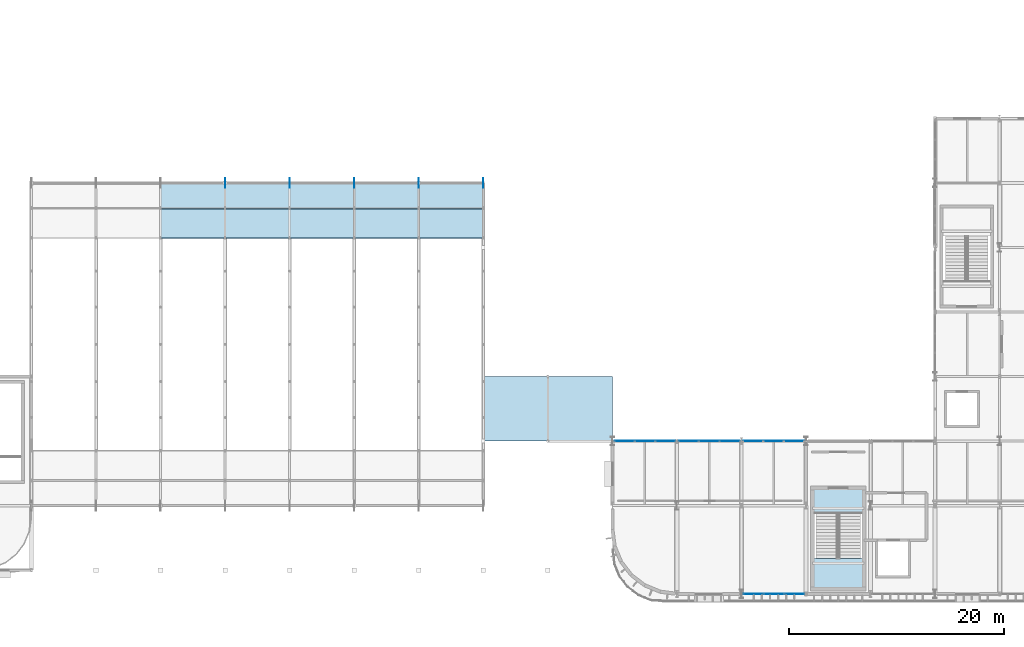
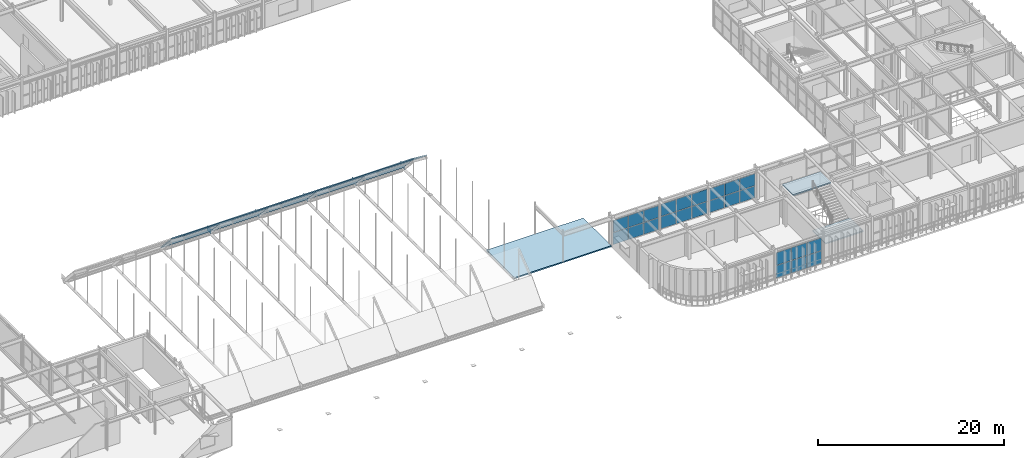
# One storey, part 79 of 116: 29 plates, 13 slabs, 5 elements without a shape of their own.
"""IFC4 building model written with IfcOpenShell, lengths in metres."""

from ifc_helpers import new_model, si_unit, direction, frame, origin, origin_2d, place, context, subcontext, project, spatial, polyline, rectangle, outline, extrude, material, layer, layer_set, type_object, element, aggregate, save


model = new_model("IFC4")

# Units and contexts
model_context = context("Model", 3, precision=1e-05, world=origin(), true_north=direction((0.0, 1.0)))
body_context = subcontext(model_context, "Body", "Model", "MODEL_VIEW")
ifc_project = project(units=[si_unit("LENGTHUNIT", "METRE"), si_unit("AREAUNIT", "SQUARE_METRE"), si_unit("VOLUMEUNIT", "CUBIC_METRE"), si_unit("PLANEANGLEUNIT", "RADIAN"), si_unit("MASSUNIT", "GRAM", prefix="KILO")], contexts=[model_context])

# Site, building, storey
site_placement = place(None, origin())
site = spatial("IfcSite", under=ifc_project, at=site_placement, CompositionType="ELEMENT")
building_placement = place(site_placement, origin())
building = spatial("IfcBuilding", under=site, at=building_placement, Name="Varnakota Square Police Headquarters", CompositionType="ELEMENT")
storey_placement = place(building_placement, frame((0.0, 0.0, 9.300048828125)))
storey = spatial("IfcBuildingStorey", under=building, at=storey_placement, Name="L02", CompositionType="ELEMENT", Elevation=9.300048828125)

# Curtain wall, plates
ifc_material_1 = material(Name="Anodised Aluminium Framing", Category="aluminium")
curtain_wall_type_1 = type_object("IfcCurtainWallType", Name="CW-SYS-D", PredefinedType="NOTDEFINED", material=ifc_material_1)
curtain_wall_1_placement = place(storey_placement, origin())
curtain_wall_1 = element("IfcCurtainWall", 1, at=curtain_wall_1_placement, inside=storey, type_object=curtain_wall_type_1, Name="Unitised curtain wall CWG-L02-071", PredefinedType="NOTDEFINED")
ifc_material_2 = material(Name="Solar-Control Laminated Double Glazing", Category="glass")
ifc_layer_1 = layer(ifc_material_2, 0.028076171875, Name="Solar-Control Laminated Double Glazing")
ifc_layer_set_1 = layer_set([ifc_layer_1], Name="Solar-Control Laminated Double Glazing")
plate_type_1 = type_object("IfcPlateType", Name="CWP-GLZ-28", PredefinedType="CURTAIN_PANEL", material=ifc_layer_set_1)
plate_1_placement = place(storey_placement, frame((121.080322265625, 15.0, 0.06494140625), z_axis=(0.0, 0.0, 1.0), x_axis=(1.0, 0.0, 0.0)))
plate_1 = element("IfcPlate", 2, at=plate_1_placement, type_object=plate_type_1, Name="CWG-L02-071 panel 1.1", PredefinedType="CURTAIN_PANEL", context=body_context, shape_type="SweptSolid", body=[
    extrude(rectangle(XDim=1.810791015625, YDim=0.028076171875, at=origin_2d()), origin(), (0.0, 0.0, 1.0), 1.547607421875),
])
plate_2_placement = place(storey_placement, frame((122.972412109375, 15.0, 0.06494140625), z_axis=(0.0, 0.0, 1.0), x_axis=(1.0, 0.0, 0.0)))
plate_2 = element("IfcPlate", 3, at=plate_2_placement, type_object=plate_type_1, Name="CWG-L02-071 panel 2.1", PredefinedType="CURTAIN_PANEL", context=body_context, shape_type="SweptSolid", body=[
    extrude(rectangle(XDim=1.84326171875, YDim=0.028076171875, at=origin_2d()), origin(), (0.0, 0.0, 1.0), 1.547607421875),
])
plate_3_placement = place(storey_placement, frame((124.864501953125, 15.0, 0.06494140625), z_axis=(0.0, 0.0, 1.0), x_axis=(1.0, 0.0, 0.0)))
plate_3 = element("IfcPlate", 4, at=plate_3_placement, type_object=plate_type_1, Name="CWG-L02-071 panel 3.1", PredefinedType="CURTAIN_PANEL", context=body_context, shape_type="SweptSolid", body=[
    extrude(rectangle(XDim=1.810791015625, YDim=0.028076171875, at=origin_2d()), origin(), (0.0, 0.0, 1.0), 1.547607421875),
])

curtain_wall_2_placement = place(storey_placement, origin())
curtain_wall_2 = element("IfcCurtainWall", 5, at=curtain_wall_2_placement, inside=storey, type_object=curtain_wall_type_1, Name="Unitised curtain wall CWG-L02-069", PredefinedType="NOTDEFINED")
ifc_material_3 = material(Name="Blast-Resistant Laminated Glazing", Category="glass")
ifc_layer_2 = layer(ifc_material_3, 0.035888671875, Name="Blast-Resistant Laminated Glazing")
ifc_layer_set_2 = layer_set([ifc_layer_2], Name="Blast-Resistant Laminated Glazing")
plate_type_2 = type_object("IfcPlateType", Name="CWP-GLZ-36", PredefinedType="CURTAIN_PANEL", material=ifc_layer_set_2)
plate_4_placement = place(storey_placement, frame((109.13623046875, 15.0, 0.06494140625), z_axis=(0.0, 0.0, 1.0), x_axis=(1.0, 0.0, 0.0)))
plate_4 = element("IfcPlate", 6, at=plate_4_placement, type_object=plate_type_2, Name="CWG-L02-069 panel 1.1", PredefinedType="CURTAIN_PANEL", context=body_context, shape_type="SweptSolid", body=[
    extrude(rectangle(XDim=1.8125, YDim=0.035888671875, at=origin_2d()), origin(), (0.0, 0.0, 1.0), 1.547607421875),
])
plate_5_placement = place(storey_placement, frame((111.030029296875, 15.0, 0.06494140625), z_axis=(0.0, 0.0, 1.0), x_axis=(1.0, 0.0, 0.0)))
plate_5 = element("IfcPlate", 7, at=plate_5_placement, type_object=plate_type_2, Name="CWG-L02-069 panel 2.1", PredefinedType="CURTAIN_PANEL", context=body_context, shape_type="SweptSolid", body=[
    extrude(rectangle(XDim=1.844970703125, YDim=0.035888671875, at=origin_2d()), origin(), (0.0, 0.0, 1.0), 1.547607421875),
])
plate_6_placement = place(storey_placement, frame((112.923828125, 15.0, 0.06494140625), z_axis=(0.0, 0.0, 1.0), x_axis=(1.0, 0.0, 0.0)))
plate_6 = element("IfcPlate", 8, at=plate_6_placement, type_object=plate_type_2, Name="CWG-L02-069 panel 3.1", PredefinedType="CURTAIN_PANEL", context=body_context, shape_type="SweptSolid", body=[
    extrude(rectangle(XDim=1.8125, YDim=0.035888671875, at=origin_2d()), origin(), (0.0, 0.0, 1.0), 1.547607421875),
])

curtain_wall_type_2 = type_object("IfcCurtainWallType", Name="CW-SYS-B", PredefinedType="NOTDEFINED", material=ifc_material_1)
curtain_wall_3_placement = place(storey_placement, origin())
curtain_wall_3 = element("IfcCurtainWall", 9, at=curtain_wall_3_placement, inside=storey, type_object=curtain_wall_type_2, Name="Unitised curtain wall CWG-L02-066", PredefinedType="NOTDEFINED")
ifc_material_4 = material(Name="Triple-Glazed Clean-Lab Vision Unit", Category="aluminium")
ifc_layer_3 = layer(ifc_material_4, 0.0419921875, Name="Triple-Glazed Clean-Lab Vision Unit")
ifc_layer_set_3 = layer_set([ifc_layer_3], Name="Triple-Glazed Clean-Lab Vision Unit")
plate_type_3 = type_object("IfcPlateType", Name="CWP-GLZ-42", PredefinedType="CURTAIN_PANEL", material=ifc_layer_set_3)
plate_7_placement = place(storey_placement, frame((121.13623046875, 0.800048828125, 0.06494140625), z_axis=(0.0, 0.0, 1.0), x_axis=(1.0, 0.0, 0.0)))
plate_7 = element("IfcPlate", 10, at=plate_7_placement, type_object=plate_type_3, Name="CWG-L02-066 panel 1.1", PredefinedType="CURTAIN_PANEL", context=body_context, shape_type="SweptSolid", body=[
    extrude(rectangle(XDim=1.8125, YDim=0.0419921875, at=origin_2d()), origin(), (0.0, 0.0, 1.0), 1.644287109375),
])
plate_8_placement = place(storey_placement, frame((123.030029296875, 0.800048828125, 0.06494140625), z_axis=(0.0, 0.0, 1.0), x_axis=(1.0, 0.0, 0.0)))
plate_8 = element("IfcPlate", 11, at=plate_8_placement, type_object=plate_type_3, Name="CWG-L02-066 panel 2.1", PredefinedType="CURTAIN_PANEL", context=body_context, shape_type="SweptSolid", body=[
    extrude(rectangle(XDim=1.844970703125, YDim=0.0419921875, at=origin_2d()), origin(), (0.0, 0.0, 1.0), 1.644287109375),
])
plate_9_placement = place(storey_placement, frame((124.923828125, 0.800048828125, 0.06494140625), z_axis=(0.0, 0.0, 1.0), x_axis=(1.0, 0.0, 0.0)))
plate_9 = element("IfcPlate", 12, at=plate_9_placement, type_object=plate_type_3, Name="CWG-L02-066 panel 3.1", PredefinedType="CURTAIN_PANEL", context=body_context, shape_type="SweptSolid", body=[
    extrude(rectangle(XDim=1.8125, YDim=0.0419921875, at=origin_2d()), origin(), (0.0, 0.0, 1.0), 1.644287109375),
])

curtain_wall_4_placement = place(storey_placement, origin())
curtain_wall_4 = element("IfcCurtainWall", 13, at=curtain_wall_4_placement, inside=storey, type_object=curtain_wall_type_1, Name="Unitised curtain wall CWG-L02-070", PredefinedType="NOTDEFINED")
plate_10_placement = place(storey_placement, frame((115.08544921875, 15.0, 0.06494140625), z_axis=(0.0, 0.0, 1.0), x_axis=(1.0, 0.0, 0.0)))
plate_10 = element("IfcPlate", 14, at=plate_10_placement, type_object=plate_type_3, Name="CWG-L02-070 panel 1.1", PredefinedType="CURTAIN_PANEL", context=body_context, shape_type="SweptSolid", body=[
    extrude(rectangle(XDim=1.830810546875, YDim=0.0419921875, at=origin_2d()), origin(), (0.0, 0.0, 1.0), 1.572509765625),
])
plate_11_placement = place(storey_placement, frame((116.99755859375, 15.0, 0.06494140625), z_axis=(0.0, 0.0, 1.0), x_axis=(1.0, 0.0, 0.0)))
plate_11 = element("IfcPlate", 15, at=plate_11_placement, type_object=plate_type_3, Name="CWG-L02-070 panel 2.1", PredefinedType="CURTAIN_PANEL", context=body_context, shape_type="SweptSolid", body=[
    extrude(rectangle(XDim=1.86328125, YDim=0.0419921875, at=origin_2d()), origin(), (0.0, 0.0, 1.0), 1.572509765625),
])
plate_12_placement = place(storey_placement, frame((118.90966796875, 15.0, 0.06494140625), z_axis=(0.0, 0.0, 1.0), x_axis=(1.0, 0.0, 0.0)))
plate_12 = element("IfcPlate", 16, at=plate_12_placement, type_object=plate_type_3, Name="CWG-L02-070 panel 3.1", PredefinedType="CURTAIN_PANEL", context=body_context, shape_type="SweptSolid", body=[
    extrude(rectangle(XDim=1.830810546875, YDim=0.0419921875, at=origin_2d()), origin(), (0.0, 0.0, 1.0), 1.572509765625),
])

# Plate
ifc_material_5 = material(Name="Insulated Anodised Aluminium Spandrel Panel", Category="aluminium")
ifc_layer_4 = layer(ifc_material_5, 0.050048828125, Name="Insulated Anodised Aluminium Spandrel Panel")
ifc_layer_set_4 = layer_set([ifc_layer_4], Name="Insulated Anodised Aluminium Spandrel Panel")
plate_type_4 = type_object("IfcPlateType", Name="CWP-SPN-50", PredefinedType="CURTAIN_PANEL", material=ifc_layer_set_4)
plate_13_placement = place(storey_placement, frame((109.13623046875, 15.0, 1.67724609375), z_axis=(0.0, 0.0, 1.0), x_axis=(1.0, 0.0, 0.0)))
plate_13 = element("IfcPlate", 17, at=plate_13_placement, type_object=plate_type_4, Name="CWG-L02-069 panel 1.2", PredefinedType="CURTAIN_PANEL", context=body_context, shape_type="SweptSolid", body=[
    extrude(rectangle(XDim=1.8125, YDim=0.050048828125, at=origin_2d()), origin(), (0.0, 0.0, 1.0), 1.547607421875),
])

plate_14_placement = place(storey_placement, frame((111.030029296875, 15.0, 1.67724609375), z_axis=(0.0, 0.0, 1.0), x_axis=(1.0, 0.0, 0.0)))
plate_14 = element("IfcPlate", 18, at=plate_14_placement, type_object=plate_type_4, Name="CWG-L02-069 panel 2.2", PredefinedType="CURTAIN_PANEL", context=body_context, shape_type="SweptSolid", body=[
    extrude(rectangle(XDim=1.844970703125, YDim=0.050048828125, at=origin_2d()), origin(), (0.0, 0.0, 1.0), 1.547607421875),
])

plate_15_placement = place(storey_placement, frame((112.923828125, 15.0, 1.67724609375), z_axis=(0.0, 0.0, 1.0), x_axis=(1.0, 0.0, 0.0)))
plate_15 = element("IfcPlate", 19, at=plate_15_placement, type_object=plate_type_4, Name="CWG-L02-069 panel 3.2", PredefinedType="CURTAIN_PANEL", context=body_context, shape_type="SweptSolid", body=[
    extrude(rectangle(XDim=1.8125, YDim=0.050048828125, at=origin_2d()), origin(), (0.0, 0.0, 1.0), 1.547607421875),
])

aggregate(curtain_wall_2, [plate_4, plate_13, plate_5, plate_14, plate_6, plate_15])

plate_16_placement = place(storey_placement, frame((121.080322265625, 15.0, 1.67724609375), z_axis=(0.0, 0.0, 1.0), x_axis=(1.0, 0.0, 0.0)))
plate_16 = element("IfcPlate", 20, at=plate_16_placement, type_object=plate_type_4, Name="CWG-L02-071 panel 1.2", PredefinedType="CURTAIN_PANEL", context=body_context, shape_type="SweptSolid", body=[
    extrude(rectangle(XDim=1.810791015625, YDim=0.050048828125, at=origin_2d()), origin(), (0.0, 0.0, 1.0), 1.547607421875),
])

plate_17_placement = place(storey_placement, frame((122.972412109375, 15.0, 1.67724609375), z_axis=(0.0, 0.0, 1.0), x_axis=(1.0, 0.0, 0.0)))
plate_17 = element("IfcPlate", 21, at=plate_17_placement, type_object=plate_type_4, Name="CWG-L02-071 panel 2.2", PredefinedType="CURTAIN_PANEL", context=body_context, shape_type="SweptSolid", body=[
    extrude(rectangle(XDim=1.84326171875, YDim=0.050048828125, at=origin_2d()), origin(), (0.0, 0.0, 1.0), 1.547607421875),
])

plate_18_placement = place(storey_placement, frame((124.864501953125, 15.0, 1.67724609375), z_axis=(0.0, 0.0, 1.0), x_axis=(1.0, 0.0, 0.0)))
plate_18 = element("IfcPlate", 22, at=plate_18_placement, type_object=plate_type_4, Name="CWG-L02-071 panel 3.2", PredefinedType="CURTAIN_PANEL", context=body_context, shape_type="SweptSolid", body=[
    extrude(rectangle(XDim=1.810791015625, YDim=0.050048828125, at=origin_2d()), origin(), (0.0, 0.0, 1.0), 1.547607421875),
])

aggregate(curtain_wall_1, [plate_1, plate_16, plate_2, plate_17, plate_3, plate_18])

ifc_material_6 = material(Name="Fire-Stopped Mineral-Wool Spandrel Panel", Category="aluminium")
ifc_layer_5 = layer(ifc_material_6, 0.06005859375, Name="Fire-Stopped Mineral-Wool Spandrel Panel")
ifc_layer_set_5 = layer_set([ifc_layer_5], Name="Fire-Stopped Mineral-Wool Spandrel Panel")
plate_type_5 = type_object("IfcPlateType", Name="CWP-SPN-60", PredefinedType="CURTAIN_PANEL", material=ifc_layer_set_5)
plate_19_placement = place(storey_placement, frame((121.13623046875, 0.800048828125, 1.7744140625), z_axis=(0.0, 0.0, 1.0), x_axis=(1.0, 0.0, 0.0)))
plate_19 = element("IfcPlate", 23, at=plate_19_placement, type_object=plate_type_5, Name="CWG-L02-066 panel 1.2", PredefinedType="CURTAIN_PANEL", context=body_context, shape_type="SweptSolid", body=[
    extrude(rectangle(XDim=1.8125, YDim=0.06005859375, at=origin_2d()), origin(), (0.0, 0.0, 1.0), 1.644287109375),
])

plate_20_placement = place(storey_placement, frame((123.030029296875, 0.800048828125, 1.7744140625), z_axis=(0.0, 0.0, 1.0), x_axis=(1.0, 0.0, 0.0)))
plate_20 = element("IfcPlate", 24, at=plate_20_placement, type_object=plate_type_5, Name="CWG-L02-066 panel 2.2", PredefinedType="CURTAIN_PANEL", context=body_context, shape_type="SweptSolid", body=[
    extrude(rectangle(XDim=1.844970703125, YDim=0.06005859375, at=origin_2d()), origin(), (0.0, 0.0, 1.0), 1.644287109375),
])

plate_21_placement = place(storey_placement, frame((124.923828125, 0.800048828125, 1.7744140625), z_axis=(0.0, 0.0, 1.0), x_axis=(1.0, 0.0, 0.0)))
plate_21 = element("IfcPlate", 25, at=plate_21_placement, type_object=plate_type_5, Name="CWG-L02-066 panel 3.2", PredefinedType="CURTAIN_PANEL", context=body_context, shape_type="SweptSolid", body=[
    extrude(rectangle(XDim=1.8125, YDim=0.06005859375, at=origin_2d()), origin(), (0.0, 0.0, 1.0), 1.644287109375),
])

aggregate(curtain_wall_3, [plate_7, plate_19, plate_8, plate_20, plate_9, plate_21])

plate_22_placement = place(storey_placement, frame((115.08544921875, 15.0, 1.70263671875), z_axis=(0.0, 0.0, 1.0), x_axis=(1.0, 0.0, 0.0)))
plate_22 = element("IfcPlate", 26, at=plate_22_placement, type_object=plate_type_5, Name="CWG-L02-070 panel 1.2", PredefinedType="CURTAIN_PANEL", context=body_context, shape_type="SweptSolid", body=[
    extrude(rectangle(XDim=1.830810546875, YDim=0.06005859375, at=origin_2d()), origin(), (0.0, 0.0, 1.0), 1.572509765625),
])

plate_23_placement = place(storey_placement, frame((116.99755859375, 15.0, 1.70263671875), z_axis=(0.0, 0.0, 1.0), x_axis=(1.0, 0.0, 0.0)))
plate_23 = element("IfcPlate", 27, at=plate_23_placement, type_object=plate_type_5, Name="CWG-L02-070 panel 2.2", PredefinedType="CURTAIN_PANEL", context=body_context, shape_type="SweptSolid", body=[
    extrude(rectangle(XDim=1.86328125, YDim=0.06005859375, at=origin_2d()), origin(), (0.0, 0.0, 1.0), 1.572509765625),
])

plate_24_placement = place(storey_placement, frame((118.90966796875, 15.0, 1.70263671875), z_axis=(0.0, 0.0, 1.0), x_axis=(1.0, 0.0, 0.0)))
plate_24 = element("IfcPlate", 28, at=plate_24_placement, type_object=plate_type_5, Name="CWG-L02-070 panel 3.2", PredefinedType="CURTAIN_PANEL", context=body_context, shape_type="SweptSolid", body=[
    extrude(rectangle(XDim=1.830810546875, YDim=0.06005859375, at=origin_2d()), origin(), (0.0, 0.0, 1.0), 1.572509765625),
])

aggregate(curtain_wall_4, [plate_10, plate_22, plate_11, plate_23, plate_12, plate_24])

# Plates
ifc_material_7 = material(Name="Steel IS 2062 Grade 350", Category="steel")
ifc_layer_6 = layer(ifc_material_7, 0.02001953125, Name="Steel IS 2062 Grade 350")
ifc_layer_set_6 = layer_set([ifc_layer_6], Name="Steel IS 2062 Grade 350")
plate_type_6 = type_object("IfcPlateType", Name="PL-GUS-20", PredefinedType="SHEET", material=ifc_layer_set_6)
for number, where, z_axis, x_axis, name in (
    (29, (72.0, 39.0, -0.150146484375), (0.0, 0.0, 1.0), (1.0, 0.0, 0.0), "Vault springing gusset GP-008"),
    (30, (78.0, 39.0, -0.150146484375), (0.0, 0.0, 1.0), (1.0, 0.0, 0.0), "Vault springing gusset GP-010"),
    (31, (84.0, 39.0, -0.150146484375), (0.0, 0.0, 1.0), (1.0, 0.0, 0.0), "Vault springing gusset GP-012"),
    (32, (90.0, 39.0, -0.150146484375), (0.0, 0.0, 1.0), (1.0, 0.0, 0.0), "Vault springing gusset GP-014"),
    (33, (96.0, 39.0, -0.150146484375), (0.0, 0.0, 1.0), (1.0, 0.0, 0.0), "Vault springing gusset GP-016"),
):
    element("IfcPlate", number, at=place(storey_placement, frame(where, z_axis=z_axis, x_axis=x_axis)), inside=storey, type_object=plate_type_6, Name=name, PredefinedType="SHEET", context=body_context, shape_type="SweptSolid", body=[
        extrude(rectangle(XDim=0.02001953125, YDim=0.89990234375, at=origin_2d()), origin(), (0.0, 0.0, 1.0), 0.60009765625),
    ])

# Slabs
ifc_material_8 = material(Name="Concrete M40", Category="concrete")
ifc_layer_7 = layer(ifc_material_8, 0.159912109375, Name="Concrete M40")
ifc_layer_set_7 = layer_set([ifc_layer_7], Name="Concrete M40")
slab_type_1 = type_object("IfcSlabType", Name="SL-RF-160", PredefinedType="ROOF", material=ifc_layer_set_7)
slab_1_placement = place(storey_placement, frame((0.0, 0.0, -0.16015625)))
element("IfcSlab", 34, at=slab_1_placement, inside=storey, type_object=slab_type_1, Name="L02 East Bridge Roof Slab", PredefinedType="ROOF", context=body_context, shape_type="SweptSolid", body=[
    extrude(outline(polyline([(96.0, 15.0), (108.0, 15.0), (108.0, 21.0), (96.0, 21.0), (96.0, 15.0)])), origin(), (0.0, 0.0, 1.0), 0.16015625),
])
ifc_layer_8 = layer(ifc_material_8, 0.139892578125, Name="Concrete M40")
ifc_layer_set_8 = layer_set([ifc_layer_8], Name="Concrete M40")
slab_type_2 = type_object("IfcSlabType", Name="SL-VLT-140", PredefinedType="ROOF", material=ifc_layer_set_8)
slab_2_placement = place(storey_placement, frame((66.0, 33.902099609375, 4.671875), z_axis=(0.0, 0.604468039557, 0.7966293926), x_axis=(1.0, 0.0, 0.0)))
element("IfcSlab", 35, at=slab_2_placement, inside=storey, type_object=slab_type_2, Name="Barrel vault roof deck strip V1-B03-S09", PredefinedType="ROOF", context=body_context, shape_type="SweptSolid", body=[
    extrude(outline(polyline([(0.0, 0.0), (6.0, 0.0), (6.0, 3.472271180231597), (0.0, 3.472271180231597), (0.0, 0.0)])), origin(), (0.0, 0.0, -1.0), 0.139892578125),
])
slab_3_placement = place(storey_placement, frame((66.0, 36.668212890625, 2.572998046875), z_axis=(0.0, 0.740985858159, 0.671520631111), x_axis=(1.0, 0.0, 0.0)))
element("IfcSlab", 36, at=slab_3_placement, inside=storey, type_object=slab_type_2, Name="Barrel vault roof deck strip V1-B03-S10", PredefinedType="ROOF", context=body_context, shape_type="SweptSolid", body=[
    extrude(outline(polyline([(0.0, 0.0), (6.0, 0.0), (6.0, 3.4723983171102333), (0.0, 3.4723983171102333), (0.0, 0.0)])), origin(), (0.0, 0.0, -1.0), 0.139892578125),
])
slab_4_placement = place(storey_placement, frame((72.0, 33.902099609375, 4.671875), z_axis=(0.0, 0.604468039557, 0.7966293926), x_axis=(1.0, 0.0, 0.0)))
element("IfcSlab", 37, at=slab_4_placement, inside=storey, type_object=slab_type_2, Name="Barrel vault roof deck strip V1-B04-S09", PredefinedType="ROOF", context=body_context, shape_type="SweptSolid", body=[
    extrude(outline(polyline([(0.0, 0.0), (6.0, 0.0), (6.0, 3.472271180231597), (0.0, 3.472271180231597), (0.0, 0.0)])), origin(), (0.0, 0.0, -1.0), 0.139892578125),
])
slab_5_placement = place(storey_placement, frame((72.0, 36.668212890625, 2.572998046875), z_axis=(0.0, 0.740985858159, 0.671520631111), x_axis=(1.0, 0.0, 0.0)))
element("IfcSlab", 38, at=slab_5_placement, inside=storey, type_object=slab_type_2, Name="Barrel vault roof deck strip V1-B04-S10", PredefinedType="ROOF", context=body_context, shape_type="SweptSolid", body=[
    extrude(outline(polyline([(0.0, 0.0), (6.0, 0.0), (6.0, 3.4723983171102333), (0.0, 3.4723983171102333), (0.0, 0.0)])), origin(), (0.0, 0.0, -1.0), 0.139892578125),
])
slab_6_placement = place(storey_placement, frame((78.0, 33.902099609375, 4.671875), z_axis=(0.0, 0.604468039557, 0.7966293926), x_axis=(1.0, 0.0, 0.0)))
element("IfcSlab", 39, at=slab_6_placement, inside=storey, type_object=slab_type_2, Name="Barrel vault roof deck strip V1-B05-S09", PredefinedType="ROOF", context=body_context, shape_type="SweptSolid", body=[
    extrude(outline(polyline([(0.0, 0.0), (6.0, 0.0), (6.0, 3.472271180231597), (0.0, 3.472271180231597), (0.0, 0.0)])), origin(), (0.0, 0.0, -1.0), 0.139892578125),
])
slab_7_placement = place(storey_placement, frame((78.0, 36.668212890625, 2.572998046875), z_axis=(0.0, 0.740985858159, 0.671520631111), x_axis=(1.0, 0.0, 0.0)))
element("IfcSlab", 40, at=slab_7_placement, inside=storey, type_object=slab_type_2, Name="Barrel vault roof deck strip V1-B05-S10", PredefinedType="ROOF", context=body_context, shape_type="SweptSolid", body=[
    extrude(outline(polyline([(0.0, 0.0), (6.0, 0.0), (6.0, 3.4723983171102333), (0.0, 3.4723983171102333), (0.0, 0.0)])), origin(), (0.0, 0.0, -1.0), 0.139892578125),
])
slab_8_placement = place(storey_placement, frame((84.0, 33.902099609375, 4.671875), z_axis=(0.0, 0.604468039557, 0.7966293926), x_axis=(1.0, 0.0, 0.0)))
element("IfcSlab", 41, at=slab_8_placement, inside=storey, type_object=slab_type_2, Name="Barrel vault roof deck strip V1-B06-S09", PredefinedType="ROOF", context=body_context, shape_type="SweptSolid", body=[
    extrude(outline(polyline([(0.0, 0.0), (6.0, 0.0), (6.0, 3.472271180231597), (0.0, 3.472271180231597), (0.0, 0.0)])), origin(), (0.0, 0.0, -1.0), 0.139892578125),
])
slab_9_placement = place(storey_placement, frame((84.0, 36.668212890625, 2.572998046875), z_axis=(0.0, 0.740985858159, 0.671520631111), x_axis=(1.0, 0.0, 0.0)))
element("IfcSlab", 42, at=slab_9_placement, inside=storey, type_object=slab_type_2, Name="Barrel vault roof deck strip V1-B06-S10", PredefinedType="ROOF", context=body_context, shape_type="SweptSolid", body=[
    extrude(outline(polyline([(0.0, 0.0), (6.0, 0.0), (6.0, 3.4723983171102333), (0.0, 3.4723983171102333), (0.0, 0.0)])), origin(), (0.0, 0.0, -1.0), 0.139892578125),
])
slab_10_placement = place(storey_placement, frame((90.0, 33.902099609375, 4.671875), z_axis=(0.0, 0.604468039557, 0.7966293926), x_axis=(1.0, 0.0, 0.0)))
element("IfcSlab", 43, at=slab_10_placement, inside=storey, type_object=slab_type_2, Name="Barrel vault roof deck strip V1-B07-S09", PredefinedType="ROOF", context=body_context, shape_type="SweptSolid", body=[
    extrude(outline(polyline([(0.0, 0.0), (6.0, 0.0), (6.0, 3.472271180231597), (0.0, 3.472271180231597), (0.0, 0.0)])), origin(), (0.0, 0.0, -1.0), 0.139892578125),
])
slab_11_placement = place(storey_placement, frame((90.0, 36.668212890625, 2.572998046875), z_axis=(0.0, 0.740985858159, 0.671520631111), x_axis=(1.0, 0.0, 0.0)))
element("IfcSlab", 44, at=slab_11_placement, inside=storey, type_object=slab_type_2, Name="Barrel vault roof deck strip V1-B07-S10", PredefinedType="ROOF", context=body_context, shape_type="SweptSolid", body=[
    extrude(outline(polyline([(0.0, 0.0), (6.0, 0.0), (6.0, 3.4723983171102333), (0.0, 3.4723983171102333), (0.0, 0.0)])), origin(), (0.0, 0.0, -1.0), 0.139892578125),
])

# Stair, slabs
stair_type = type_object("IfcStairType", Name="STR-DOG-2000", PredefinedType="USERDEFINED", material=ifc_material_8)
stair_placement = place(storey_placement, origin())
stair = element("IfcStair", 45, at=stair_placement, inside=storey, type_object=stair_type, Name="Protected exit stair ST1 (L02)", ObjectType="TWO_RETURN_STAIR", PredefinedType="USERDEFINED")
ifc_layer_9 = layer(ifc_material_8, 0.166015625, Name="Concrete M40")
ifc_layer_set_9 = layer_set([ifc_layer_9], Name="Concrete M40")
slab_type_3 = type_object("IfcSlabType", Name="SLB-LND-2000", PredefinedType="LANDING", material=ifc_layer_set_9)
slab_12_placement = place(storey_placement, frame((0.0, 0.0, 1.933837890625)))
slab_12 = element("IfcSlab", 46, at=slab_12_placement, type_object=slab_type_3, Name="ST1-L02 landing 1", PredefinedType="LANDING", context=body_context, shape_type="SweptSolid", body=[
    extrude(outline(polyline([(126.659912109375, 1.31005859375), (131.340087890625, 1.31005859375), (131.340087890625, 4.099365234375), (126.659912109375, 4.099365234375), (126.659912109375, 1.31005859375)])), origin(), (0.0, 0.0, 1.0), 0.166015625),
])
slab_13_placement = place(storey_placement, frame((0.0, 0.0, 4.033935546875)))
slab_13 = element("IfcSlab", 47, at=slab_13_placement, type_object=slab_type_3, Name="ST1-L02 landing 2", PredefinedType="LANDING", context=body_context, shape_type="SweptSolid", body=[
    extrude(outline(polyline([(126.659912109375, 8.300048828125), (131.340087890625, 8.300048828125), (131.340087890625, 10.590087890625), (126.659912109375, 10.590087890625), (126.659912109375, 8.300048828125)])), origin(), (0.0, 0.0, 1.0), 0.166015625),
])
aggregate(stair, [slab_12, slab_13])

save(model, "model.ifc")
